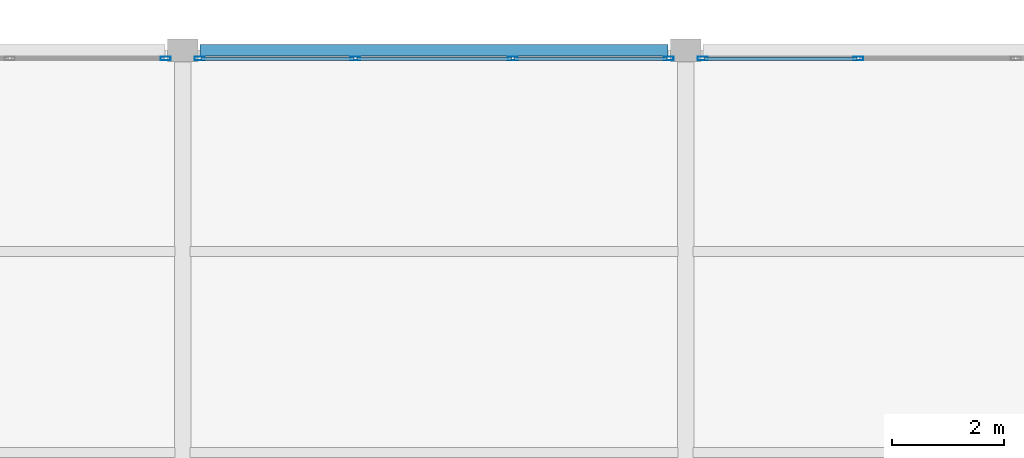
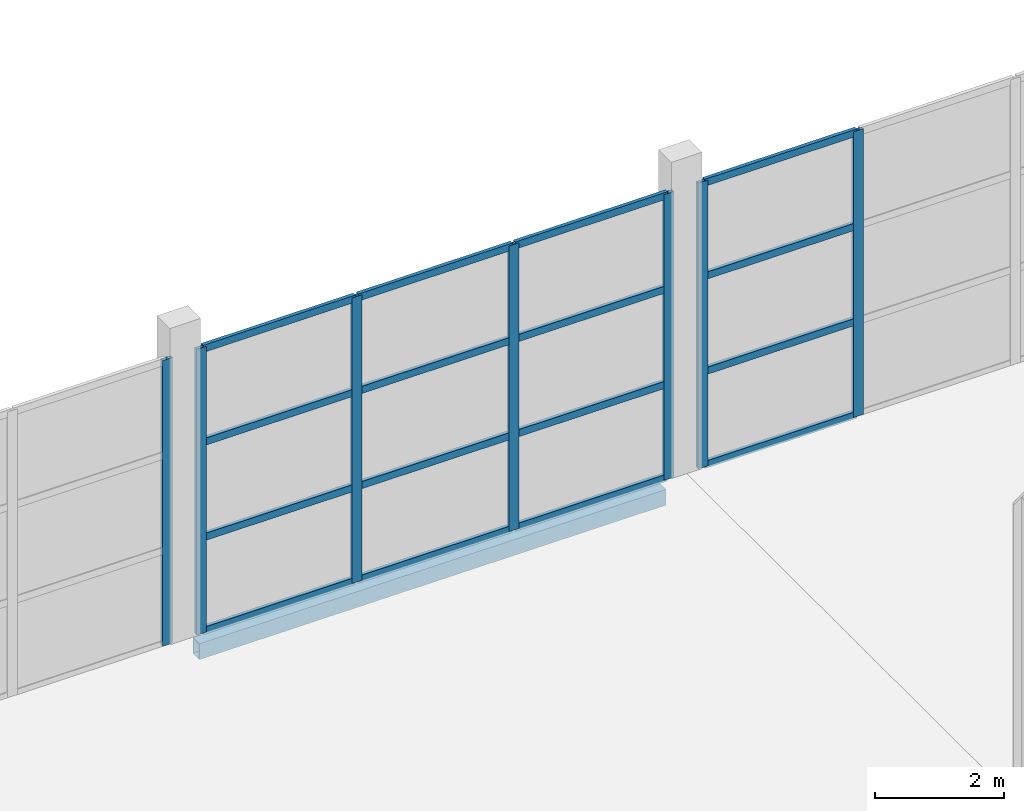
# One storey, part 92 of 191: 23 members, 1 beam, 3 elements without a shape of their own.
"""IFC4 building model written with IfcOpenShell, lengths in metres."""

from ifc_helpers import new_model, si_unit, direction, frame, origin, origin_2d, place, context, subcontext, project, spatial, hollow_rectangle, extrude, material, layer, layer_set, material_profile, profile_set, type_object, element, aggregate, save


model = new_model("IFC4")

# Units and contexts
model_context = context("Model", 3, precision=1e-05, world=origin(), true_north=direction((0.0, 1.0)))
body_context = subcontext(model_context, "Body", "Model", "MODEL_VIEW")
ifc_project = project(units=[si_unit("LENGTHUNIT", "METRE"), si_unit("AREAUNIT", "SQUARE_METRE"), si_unit("VOLUMEUNIT", "CUBIC_METRE"), si_unit("PLANEANGLEUNIT", "RADIAN"), si_unit("MASSUNIT", "GRAM", prefix="KILO")], contexts=[model_context])

# Site, building, storey
site_placement = place(None, origin())
site = spatial("IfcSite", under=ifc_project, at=site_placement, CompositionType="ELEMENT")
building_placement = place(site_placement, origin())
building = spatial("IfcBuilding", under=site, at=building_placement, Name="Tamarisk Ironworks Central Station", CompositionType="ELEMENT")
storey_placement = place(building_placement, frame((0.0, 0.0, 6.60009765625)))
storey = spatial("IfcBuildingStorey", under=building, at=storey_placement, Name="L01", CompositionType="ELEMENT", Elevation=6.60009765625)

# Beam
ifc_material_1 = material(Name="Structural steel S355J2", Category="steel")
ifc_material_profile_1 = material_profile(ifc_material_1, hollow_rectangle(XDim=0.199951171875, YDim=0.300048828125, WallThickness=0.011962890625, at=origin_2d()), Name="RHS 300x200x12")
ifc_profile_set_1 = profile_set([ifc_material_profile_1], Name="Structural steel S355J2")
beam_type = type_object("IfcBeamType", Name="BM-SP02", PredefinedType="SPANDREL", material=ifc_profile_set_1)
beam_placement = place(storey_placement, frame((18.31298828125, 122.39990234375, -0.400146484375), z_axis=(1.0, 0.0, 0.0), x_axis=(0.0, 1.0, 0.0)))
element("IfcBeam", 1, at=beam_placement, inside=storey, type_object=beam_type, Name="L01 primary girder X-0145", PredefinedType="SPANDREL", context=body_context, shape_type="SweptSolid", body=[
    extrude(hollow_rectangle(XDim=0.199951171875, YDim=0.300048828125, WallThickness=0.011962890625, at=origin_2d()), origin(), (0.0, 0.0, 1.0), 8.3740234375),
])

# Curtain wall, member
ifc_material_2 = material(Name="Anodized aluminium alloy 6063-T6", Category="aluminium")
ifc_layer = layer(ifc_material_2, 0.179931640625)
ifc_layer_set = layer_set([ifc_layer], Name="Anodized aluminium alloy 6063-T6")
curtain_wall_type = type_object("IfcCurtainWallType", Name="CW-13", PredefinedType="USERDEFINED", material=ifc_layer_set)
curtain_wall_1_placement = place(storey_placement, origin())
curtain_wall_1 = element("IfcCurtainWall", 2, at=curtain_wall_1_placement, inside=storey, type_object=curtain_wall_type, Name="Pavilion L01 N glazed arcade 09", ObjectType="GLAZED CURTAIN WALL", PredefinedType="USERDEFINED")
ifc_material_profile_2 = material_profile(ifc_material_2, hollow_rectangle(XDim=0.06494140625, YDim=0.179931640625, WallThickness=0.00390625, at=origin_2d()), Name="ALUM 180x65")
ifc_profile_set_2 = profile_set([ifc_material_profile_2], Name="Anodized aluminium alloy 6063-T6")
member_type_1 = type_object("IfcMemberType", Name="CWM-02", PredefinedType="MULLION", material=ifc_profile_set_2)
member_1_placement = place(storey_placement, frame((17.694580078125, 122.25, 0.0), z_axis=(0.0, 0.0, 1.0), x_axis=(0.0, 1.0, 0.0)))
member_1 = element("IfcMember", 3, at=member_1_placement, type_object=member_type_1, Name="CW13 mullion 4", PredefinedType="MULLION", context=body_context, shape_type="SweptSolid", body=[
    extrude(hollow_rectangle(XDim=0.06494140625, YDim=0.179931640625, WallThickness=0.00390625, at=origin_2d()), origin(), (0.0, 0.0, 1.0), 5.419921875),
])
aggregate(curtain_wall_1, [member_1])

# Curtain wall, members
curtain_wall_2_placement = place(storey_placement, origin())
curtain_wall_2 = element("IfcCurtainWall", 4, at=curtain_wall_2_placement, inside=storey, type_object=curtain_wall_type, Name="Pavilion L01 N glazed arcade 18", ObjectType="GLAZED CURTAIN WALL", PredefinedType="USERDEFINED")
member_2_placement = place(storey_placement, frame((18.305419921875, 122.25, 0.0), z_axis=(0.0, 0.0, 1.0), x_axis=(0.0, 1.0, 0.0)))
member_2 = element("IfcMember", 5, at=member_2_placement, type_object=member_type_1, Name="CW13 mullion 1", PredefinedType="MULLION", context=body_context, shape_type="SweptSolid", body=[
    extrude(hollow_rectangle(XDim=0.06494140625, YDim=0.179931640625, WallThickness=0.00390625, at=origin_2d()), origin(), (0.0, 0.0, 1.0), 5.419921875),
])
member_3_placement = place(storey_placement, frame((21.091064453125, 122.25, 0.0), z_axis=(0.0, 0.0, 1.0), x_axis=(0.0, 1.0, 0.0)))
member_3 = element("IfcMember", 6, at=member_3_placement, type_object=member_type_1, Name="CW13 mullion 2", PredefinedType="MULLION", context=body_context, shape_type="SweptSolid", body=[
    extrude(hollow_rectangle(XDim=0.06494140625, YDim=0.179931640625, WallThickness=0.00390625, at=origin_2d()), origin(), (0.0, 0.0, 1.0), 5.419921875),
])
member_4_placement = place(storey_placement, frame((23.908935546875, 122.25, 0.0), z_axis=(0.0, 0.0, 1.0), x_axis=(0.0, 1.0, 0.0)))
member_4 = element("IfcMember", 7, at=member_4_placement, type_object=member_type_1, Name="CW13 mullion 3", PredefinedType="MULLION", context=body_context, shape_type="SweptSolid", body=[
    extrude(hollow_rectangle(XDim=0.06494140625, YDim=0.179931640625, WallThickness=0.00390625, at=origin_2d()), origin(), (0.0, 0.0, 1.0), 5.419921875),
])
member_5_placement = place(storey_placement, frame((26.694580078125, 122.25, 0.0), z_axis=(0.0, 0.0, 1.0), x_axis=(0.0, 1.0, 0.0)))
member_5 = element("IfcMember", 8, at=member_5_placement, type_object=member_type_1, Name="CW13 mullion 4", PredefinedType="MULLION", context=body_context, shape_type="SweptSolid", body=[
    extrude(hollow_rectangle(XDim=0.06494140625, YDim=0.179931640625, WallThickness=0.00390625, at=origin_2d()), origin(), (0.0, 0.0, 1.0), 5.419921875),
])

curtain_wall_3_placement = place(storey_placement, origin())
curtain_wall_3 = element("IfcCurtainWall", 9, at=curtain_wall_3_placement, inside=storey, type_object=curtain_wall_type, Name="Pavilion L01 N glazed arcade 27", ObjectType="GLAZED CURTAIN WALL", PredefinedType="USERDEFINED")
member_6_placement = place(storey_placement, frame((27.305419921875, 122.25, 0.0), z_axis=(0.0, 0.0, 1.0), x_axis=(0.0, 1.0, 0.0)))
member_6 = element("IfcMember", 10, at=member_6_placement, type_object=member_type_1, Name="CW13 mullion 1", PredefinedType="MULLION", context=body_context, shape_type="SweptSolid", body=[
    extrude(hollow_rectangle(XDim=0.06494140625, YDim=0.179931640625, WallThickness=0.00390625, at=origin_2d()), origin(), (0.0, 0.0, 1.0), 5.419921875),
])
member_7_placement = place(storey_placement, frame((30.091064453125, 122.25, 0.0), z_axis=(0.0, 0.0, 1.0), x_axis=(0.0, 1.0, 0.0)))
member_7 = element("IfcMember", 11, at=member_7_placement, type_object=member_type_1, Name="CW13 mullion 2", PredefinedType="MULLION", context=body_context, shape_type="SweptSolid", body=[
    extrude(hollow_rectangle(XDim=0.06494140625, YDim=0.179931640625, WallThickness=0.00390625, at=origin_2d()), origin(), (0.0, 0.0, 1.0), 5.419921875),
])

# Member
ifc_material_profile_3 = material_profile(ifc_material_2, hollow_rectangle(XDim=0.06494140625, YDim=0.135009765625, WallThickness=0.00341796875, at=origin_2d()), Name="ALUM 135x65")
ifc_profile_set_3 = profile_set([ifc_material_profile_3], Name="Anodized aluminium alloy 6063-T6")
member_type_2 = type_object("IfcMemberType", Name="CWT-02", PredefinedType="USERDEFINED", material=ifc_profile_set_3)
member_8_placement = place(storey_placement, frame((18.333984375, 122.25, 0.032470703125), z_axis=(1.0, 0.0, 0.0), x_axis=(0.0, 1.0, 0.0)))
member_8 = element("IfcMember", 12, at=member_8_placement, type_object=member_type_2, Name="CW13 transom 1.1", ObjectType="TRANSOM", PredefinedType="USERDEFINED", context=body_context, shape_type="SweptSolid", body=[
    extrude(hollow_rectangle(XDim=0.06494140625, YDim=0.135009765625, WallThickness=0.00341796875, at=origin_2d()), origin(), (0.0, 0.0, 1.0), 2.728515625),
])

member_9_placement = place(storey_placement, frame((18.333984375, 122.25, 1.806640625), z_axis=(1.0, 0.0, 0.0), x_axis=(0.0, 1.0, 0.0)))
member_9 = element("IfcMember", 13, at=member_9_placement, type_object=member_type_2, Name="CW13 transom 1.2", ObjectType="TRANSOM", PredefinedType="USERDEFINED", context=body_context, shape_type="SweptSolid", body=[
    extrude(hollow_rectangle(XDim=0.06494140625, YDim=0.135009765625, WallThickness=0.00341796875, at=origin_2d()), origin(), (0.0, 0.0, 1.0), 2.728515625),
])

member_10_placement = place(storey_placement, frame((18.333984375, 122.25, 3.61328125), z_axis=(1.0, 0.0, 0.0), x_axis=(0.0, 1.0, 0.0)))
member_10 = element("IfcMember", 14, at=member_10_placement, type_object=member_type_2, Name="CW13 transom 1.3", ObjectType="TRANSOM", PredefinedType="USERDEFINED", context=body_context, shape_type="SweptSolid", body=[
    extrude(hollow_rectangle(XDim=0.06494140625, YDim=0.135009765625, WallThickness=0.00341796875, at=origin_2d()), origin(), (0.0, 0.0, 1.0), 2.728515625),
])

member_11_placement = place(storey_placement, frame((18.333984375, 122.25, 5.387451171875), z_axis=(1.0, 0.0, 0.0), x_axis=(0.0, 1.0, 0.0)))
member_11 = element("IfcMember", 15, at=member_11_placement, type_object=member_type_2, Name="CW13 transom 1.4", ObjectType="TRANSOM", PredefinedType="USERDEFINED", context=body_context, shape_type="SweptSolid", body=[
    extrude(hollow_rectangle(XDim=0.06494140625, YDim=0.135009765625, WallThickness=0.00341796875, at=origin_2d()), origin(), (0.0, 0.0, 1.0), 2.728515625),
])

member_12_placement = place(storey_placement, frame((21.119384765625, 122.25, 0.032470703125), z_axis=(1.0, 0.0, 0.0), x_axis=(0.0, 1.0, 0.0)))
member_12 = element("IfcMember", 16, at=member_12_placement, type_object=member_type_2, Name="CW13 transom 2.1", ObjectType="TRANSOM", PredefinedType="USERDEFINED", context=body_context, shape_type="SweptSolid", body=[
    extrude(hollow_rectangle(XDim=0.06494140625, YDim=0.135009765625, WallThickness=0.00341796875, at=origin_2d()), origin(), (0.0, 0.0, 1.0), 2.76123046875),
])

member_13_placement = place(storey_placement, frame((21.119384765625, 122.25, 1.806640625), z_axis=(1.0, 0.0, 0.0), x_axis=(0.0, 1.0, 0.0)))
member_13 = element("IfcMember", 17, at=member_13_placement, type_object=member_type_2, Name="CW13 transom 2.2", ObjectType="TRANSOM", PredefinedType="USERDEFINED", context=body_context, shape_type="SweptSolid", body=[
    extrude(hollow_rectangle(XDim=0.06494140625, YDim=0.135009765625, WallThickness=0.00341796875, at=origin_2d()), origin(), (0.0, 0.0, 1.0), 2.76123046875),
])

member_14_placement = place(storey_placement, frame((21.119384765625, 122.25, 3.61328125), z_axis=(1.0, 0.0, 0.0), x_axis=(0.0, 1.0, 0.0)))
member_14 = element("IfcMember", 18, at=member_14_placement, type_object=member_type_2, Name="CW13 transom 2.3", ObjectType="TRANSOM", PredefinedType="USERDEFINED", context=body_context, shape_type="SweptSolid", body=[
    extrude(hollow_rectangle(XDim=0.06494140625, YDim=0.135009765625, WallThickness=0.00341796875, at=origin_2d()), origin(), (0.0, 0.0, 1.0), 2.76123046875),
])

member_15_placement = place(storey_placement, frame((21.119384765625, 122.25, 5.387451171875), z_axis=(1.0, 0.0, 0.0), x_axis=(0.0, 1.0, 0.0)))
member_15 = element("IfcMember", 19, at=member_15_placement, type_object=member_type_2, Name="CW13 transom 2.4", ObjectType="TRANSOM", PredefinedType="USERDEFINED", context=body_context, shape_type="SweptSolid", body=[
    extrude(hollow_rectangle(XDim=0.06494140625, YDim=0.135009765625, WallThickness=0.00341796875, at=origin_2d()), origin(), (0.0, 0.0, 1.0), 2.76123046875),
])

member_16_placement = place(storey_placement, frame((23.9375, 122.25, 0.032470703125), z_axis=(1.0, 0.0, 0.0), x_axis=(0.0, 1.0, 0.0)))
member_16 = element("IfcMember", 20, at=member_16_placement, type_object=member_type_2, Name="CW13 transom 3.1", ObjectType="TRANSOM", PredefinedType="USERDEFINED", context=body_context, shape_type="SweptSolid", body=[
    extrude(hollow_rectangle(XDim=0.06494140625, YDim=0.135009765625, WallThickness=0.00341796875, at=origin_2d()), origin(), (0.0, 0.0, 1.0), 2.728515625),
])

member_17_placement = place(storey_placement, frame((23.9375, 122.25, 1.806640625), z_axis=(1.0, 0.0, 0.0), x_axis=(0.0, 1.0, 0.0)))
member_17 = element("IfcMember", 21, at=member_17_placement, type_object=member_type_2, Name="CW13 transom 3.2", ObjectType="TRANSOM", PredefinedType="USERDEFINED", context=body_context, shape_type="SweptSolid", body=[
    extrude(hollow_rectangle(XDim=0.06494140625, YDim=0.135009765625, WallThickness=0.00341796875, at=origin_2d()), origin(), (0.0, 0.0, 1.0), 2.728515625),
])

member_18_placement = place(storey_placement, frame((23.9375, 122.25, 3.61328125), z_axis=(1.0, 0.0, 0.0), x_axis=(0.0, 1.0, 0.0)))
member_18 = element("IfcMember", 22, at=member_18_placement, type_object=member_type_2, Name="CW13 transom 3.3", ObjectType="TRANSOM", PredefinedType="USERDEFINED", context=body_context, shape_type="SweptSolid", body=[
    extrude(hollow_rectangle(XDim=0.06494140625, YDim=0.135009765625, WallThickness=0.00341796875, at=origin_2d()), origin(), (0.0, 0.0, 1.0), 2.728515625),
])

member_19_placement = place(storey_placement, frame((23.9375, 122.25, 5.387451171875), z_axis=(1.0, 0.0, 0.0), x_axis=(0.0, 1.0, 0.0)))
member_19 = element("IfcMember", 23, at=member_19_placement, type_object=member_type_2, Name="CW13 transom 3.4", ObjectType="TRANSOM", PredefinedType="USERDEFINED", context=body_context, shape_type="SweptSolid", body=[
    extrude(hollow_rectangle(XDim=0.06494140625, YDim=0.135009765625, WallThickness=0.00341796875, at=origin_2d()), origin(), (0.0, 0.0, 1.0), 2.728515625),
])

aggregate(curtain_wall_2, [member_2, member_3, member_4, member_5, member_8, member_9, member_10, member_11, member_12, member_13, member_14, member_15, member_16, member_17, member_18, member_19])

member_20_placement = place(storey_placement, frame((27.333984375, 122.25, 0.032470703125), z_axis=(1.0, 0.0, 0.0), x_axis=(0.0, 1.0, 0.0)))
member_20 = element("IfcMember", 24, at=member_20_placement, type_object=member_type_2, Name="CW13 transom 1.1", ObjectType="TRANSOM", PredefinedType="USERDEFINED", context=body_context, shape_type="SweptSolid", body=[
    extrude(hollow_rectangle(XDim=0.06494140625, YDim=0.135009765625, WallThickness=0.00341796875, at=origin_2d()), origin(), (0.0, 0.0, 1.0), 2.728515625),
])

member_21_placement = place(storey_placement, frame((27.333984375, 122.25, 1.806640625), z_axis=(1.0, 0.0, 0.0), x_axis=(0.0, 1.0, 0.0)))
member_21 = element("IfcMember", 25, at=member_21_placement, type_object=member_type_2, Name="CW13 transom 1.2", ObjectType="TRANSOM", PredefinedType="USERDEFINED", context=body_context, shape_type="SweptSolid", body=[
    extrude(hollow_rectangle(XDim=0.06494140625, YDim=0.135009765625, WallThickness=0.00341796875, at=origin_2d()), origin(), (0.0, 0.0, 1.0), 2.728515625),
])

member_22_placement = place(storey_placement, frame((27.333984375, 122.25, 3.61328125), z_axis=(1.0, 0.0, 0.0), x_axis=(0.0, 1.0, 0.0)))
member_22 = element("IfcMember", 26, at=member_22_placement, type_object=member_type_2, Name="CW13 transom 1.3", ObjectType="TRANSOM", PredefinedType="USERDEFINED", context=body_context, shape_type="SweptSolid", body=[
    extrude(hollow_rectangle(XDim=0.06494140625, YDim=0.135009765625, WallThickness=0.00341796875, at=origin_2d()), origin(), (0.0, 0.0, 1.0), 2.728515625),
])

member_23_placement = place(storey_placement, frame((27.333984375, 122.25, 5.387451171875), z_axis=(1.0, 0.0, 0.0), x_axis=(0.0, 1.0, 0.0)))
member_23 = element("IfcMember", 27, at=member_23_placement, type_object=member_type_2, Name="CW13 transom 1.4", ObjectType="TRANSOM", PredefinedType="USERDEFINED", context=body_context, shape_type="SweptSolid", body=[
    extrude(hollow_rectangle(XDim=0.06494140625, YDim=0.135009765625, WallThickness=0.00341796875, at=origin_2d()), origin(), (0.0, 0.0, 1.0), 2.728515625),
])

aggregate(curtain_wall_3, [member_6, member_7, member_20, member_21, member_22, member_23])

save(model, "model.ifc")
